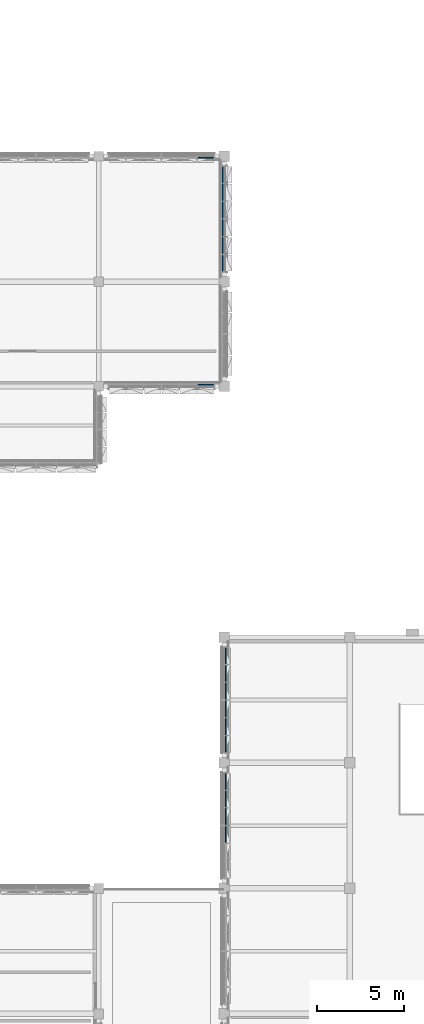
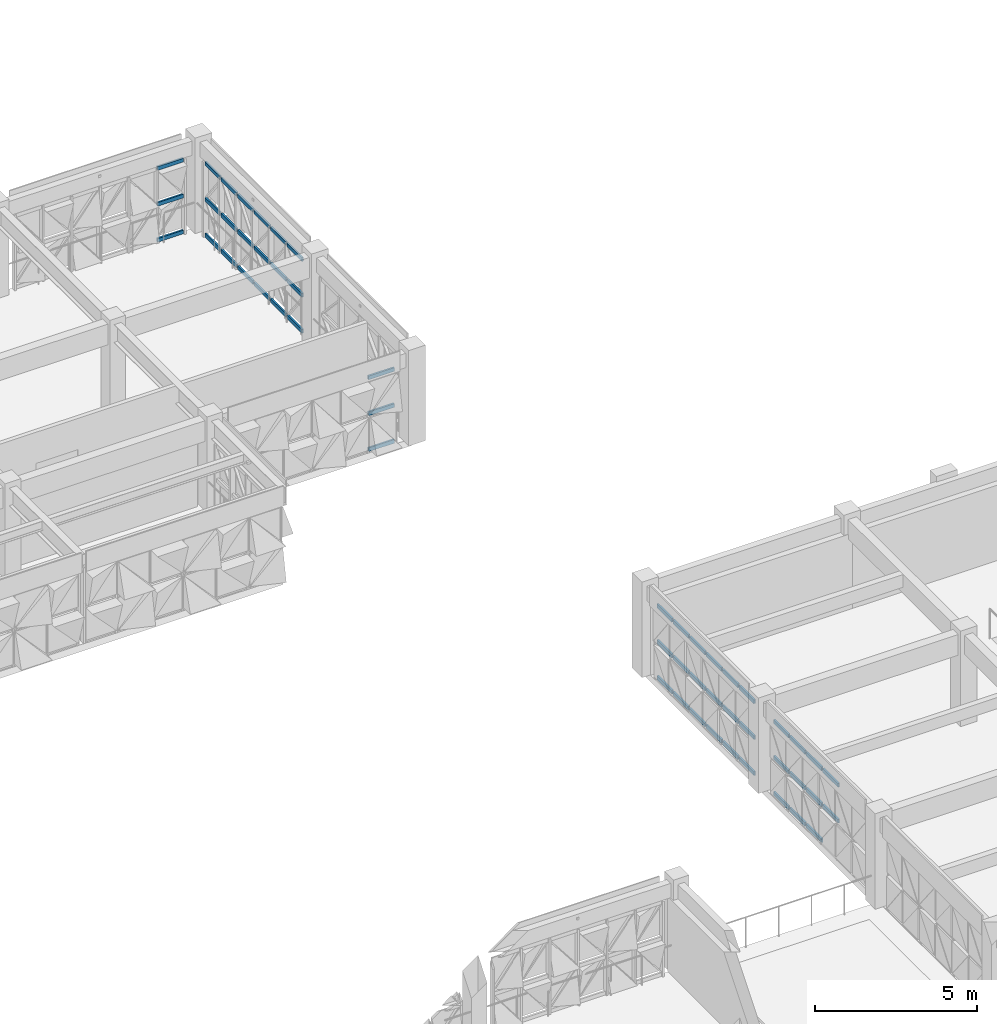
# One storey, part 28 of 85: 53 members, 5 elements without a shape of their own.
"""IFC4 building model written with IfcOpenShell, lengths in metres."""

from ifc_helpers import new_model, si_unit, direction, frame, origin, origin_2d, place, context, subcontext, project, spatial, rectangle, extrude, material, material_profile, profile_set, type_object, element, aggregate, save


model = new_model("IFC4")

# Units and contexts
model_context = context("Model", 3, precision=1e-05, world=origin(), true_north=direction((0.0, 1.0)))
body_context = subcontext(model_context, "Body", "Model", "MODEL_VIEW")
ifc_project = project(units=[si_unit("LENGTHUNIT", "METRE"), si_unit("AREAUNIT", "SQUARE_METRE"), si_unit("VOLUMEUNIT", "CUBIC_METRE"), si_unit("PLANEANGLEUNIT", "RADIAN"), si_unit("MASSUNIT", "GRAM", prefix="KILO")], contexts=[model_context])

# Site, building, storey
site_placement = place(None, origin())
site = spatial("IfcSite", under=ifc_project, at=site_placement, CompositionType="ELEMENT")
building_placement = place(site_placement, origin())
building = spatial("IfcBuilding", under=site, at=building_placement, Name="Alvorim Cloister Faculty of Sciences", CompositionType="ELEMENT")
storey_placement = place(building_placement, frame((0.0, 0.0, 8.550048828125)))
storey = spatial("IfcBuildingStorey", under=building, at=storey_placement, Name="L02", CompositionType="ELEMENT", Elevation=8.550048828125)

# Curtain wall, members
ifc_material_1 = material(Name="Aluminium and Low-E Glass Curtain Wall", Category="aluminium")
curtain_wall_type = type_object("IfcCurtainWallType", Name="CW-TRI-6120x2850", PredefinedType="USERDEFINED", material=ifc_material_1)
curtain_wall_1_placement = place(storey_placement, origin())
curtain_wall_1 = element("IfcCurtainWall", 1, at=curtain_wall_1_placement, inside=storey, type_object=curtain_wall_type, Name="L02 Diagonal Cassette Curtain Wall CW-0060", ObjectType="UNITISED CURTAIN WALL", PredefinedType="USERDEFINED")
ifc_material_2 = material(Name="Aluminium Alloy 6063-T6", Category="aluminium")
ifc_material_profile = material_profile(ifc_material_2, rectangle(XDim=0.06494140625, YDim=0.139892578125, at=origin_2d()), Name="ALU-TRN-65x140")
ifc_profile_set = profile_set([ifc_material_profile], Name="Aluminium Alloy 6063-T6")
member_type = type_object("IfcMemberType", Name="CW-TRN-65x140", PredefinedType="USERDEFINED", material=ifc_profile_set)
member_1_placement = place(storey_placement, frame((63.2724609375, 56.31005859375, 0.070068359375), z_axis=(1.0, 0.0, 0.0), x_axis=(0.0, 1.0, 0.0)))
member_1 = element("IfcMember", 2, at=member_1_placement, type_object=member_type, Name="CW-0060 Transom 6.1", ObjectType="TRANSOM", PredefinedType="USERDEFINED", context=body_context, shape_type="SweptSolid", body=[
    extrude(rectangle(XDim=0.06494140625, YDim=0.139892578125, at=origin_2d()), origin(), (0.0, 0.0, 1.0), 0.922607421875),
])
member_2_placement = place(storey_placement, frame((63.2724609375, 56.31005859375, 1.425048828125), z_axis=(1.0, 0.0, 0.0), x_axis=(0.0, 1.0, 0.0)))
member_2 = element("IfcMember", 3, at=member_2_placement, type_object=member_type, Name="CW-0060 Transom 6.2", ObjectType="TRANSOM", PredefinedType="USERDEFINED", context=body_context, shape_type="SweptSolid", body=[
    extrude(rectangle(XDim=0.06494140625, YDim=0.139892578125, at=origin_2d()), origin(), (0.0, 0.0, 1.0), 0.922607421875),
])
member_3_placement = place(storey_placement, frame((63.2724609375, 56.31005859375, 2.780029296875), z_axis=(1.0, 0.0, 0.0), x_axis=(0.0, 1.0, 0.0)))
member_3 = element("IfcMember", 4, at=member_3_placement, type_object=member_type, Name="CW-0060 Transom 6.3", ObjectType="TRANSOM", PredefinedType="USERDEFINED", context=body_context, shape_type="SweptSolid", body=[
    extrude(rectangle(XDim=0.06494140625, YDim=0.139892578125, at=origin_2d()), origin(), (0.0, 0.0, 1.0), 0.922607421875),
])
aggregate(curtain_wall_1, [member_1, member_2, member_3])

curtain_wall_2_placement = place(storey_placement, origin())
curtain_wall_2 = element("IfcCurtainWall", 5, at=curtain_wall_2_placement, inside=storey, type_object=curtain_wall_type, Name="L02 Diagonal Cassette Curtain Wall CW-0061", ObjectType="UNITISED CURTAIN WALL", PredefinedType="USERDEFINED")
member_4_placement = place(storey_placement, frame((64.7099609375, 49.804931640625, 0.070068359375), z_axis=(0.0, 1.0, 0.0), x_axis=(-1.0, 0.0, 0.0)))
member_4 = element("IfcMember", 6, at=member_4_placement, type_object=member_type, Name="CW-0061 Transom 1.1", ObjectType="TRANSOM", PredefinedType="USERDEFINED", context=body_context, shape_type="SweptSolid", body=[
    extrude(rectangle(XDim=0.06494140625, YDim=0.139892578125, at=origin_2d()), origin(), (0.0, 0.0, 1.0), 0.922607421875),
])
member_5_placement = place(storey_placement, frame((64.7099609375, 49.804931640625, 1.425048828125), z_axis=(0.0, 1.0, 0.0), x_axis=(-1.0, 0.0, 0.0)))
member_5 = element("IfcMember", 7, at=member_5_placement, type_object=member_type, Name="CW-0061 Transom 1.2", ObjectType="TRANSOM", PredefinedType="USERDEFINED", context=body_context, shape_type="SweptSolid", body=[
    extrude(rectangle(XDim=0.06494140625, YDim=0.139892578125, at=origin_2d()), origin(), (0.0, 0.0, 1.0), 0.922607421875),
])
member_6_placement = place(storey_placement, frame((64.7099609375, 49.804931640625, 2.780029296875), z_axis=(0.0, 1.0, 0.0), x_axis=(-1.0, 0.0, 0.0)))
member_6 = element("IfcMember", 8, at=member_6_placement, type_object=member_type, Name="CW-0061 Transom 1.3", ObjectType="TRANSOM", PredefinedType="USERDEFINED", context=body_context, shape_type="SweptSolid", body=[
    extrude(rectangle(XDim=0.06494140625, YDim=0.139892578125, at=origin_2d()), origin(), (0.0, 0.0, 1.0), 0.922607421875),
])
member_7_placement = place(storey_placement, frame((64.7099609375, 50.79248046875, 0.070068359375), z_axis=(0.0, 1.0, 0.0), x_axis=(-1.0, 0.0, 0.0)))
member_7 = element("IfcMember", 9, at=member_7_placement, type_object=member_type, Name="CW-0061 Transom 2.1", ObjectType="TRANSOM", PredefinedType="USERDEFINED", context=body_context, shape_type="SweptSolid", body=[
    extrude(rectangle(XDim=0.06494140625, YDim=0.139892578125, at=origin_2d()), origin(), (0.0, 0.0, 1.0), 0.955078125),
])
member_8_placement = place(storey_placement, frame((64.7099609375, 50.79248046875, 1.425048828125), z_axis=(0.0, 1.0, 0.0), x_axis=(-1.0, 0.0, 0.0)))
member_8 = element("IfcMember", 10, at=member_8_placement, type_object=member_type, Name="CW-0061 Transom 2.2", ObjectType="TRANSOM", PredefinedType="USERDEFINED", context=body_context, shape_type="SweptSolid", body=[
    extrude(rectangle(XDim=0.06494140625, YDim=0.139892578125, at=origin_2d()), origin(), (0.0, 0.0, 1.0), 0.955078125),
])
member_9_placement = place(storey_placement, frame((64.7099609375, 50.79248046875, 2.780029296875), z_axis=(0.0, 1.0, 0.0), x_axis=(-1.0, 0.0, 0.0)))
member_9 = element("IfcMember", 11, at=member_9_placement, type_object=member_type, Name="CW-0061 Transom 2.3", ObjectType="TRANSOM", PredefinedType="USERDEFINED", context=body_context, shape_type="SweptSolid", body=[
    extrude(rectangle(XDim=0.06494140625, YDim=0.139892578125, at=origin_2d()), origin(), (0.0, 0.0, 1.0), 0.955078125),
])
member_10_placement = place(storey_placement, frame((64.7099609375, 51.8125, 0.070068359375), z_axis=(0.0, 1.0, 0.0), x_axis=(-1.0, 0.0, 0.0)))
member_10 = element("IfcMember", 12, at=member_10_placement, type_object=member_type, Name="CW-0061 Transom 3.1", ObjectType="TRANSOM", PredefinedType="USERDEFINED", context=body_context, shape_type="SweptSolid", body=[
    extrude(rectangle(XDim=0.06494140625, YDim=0.139892578125, at=origin_2d()), origin(), (0.0, 0.0, 1.0), 0.955078125),
])
member_11_placement = place(storey_placement, frame((64.7099609375, 51.8125, 1.425048828125), z_axis=(0.0, 1.0, 0.0), x_axis=(-1.0, 0.0, 0.0)))
member_11 = element("IfcMember", 13, at=member_11_placement, type_object=member_type, Name="CW-0061 Transom 3.2", ObjectType="TRANSOM", PredefinedType="USERDEFINED", context=body_context, shape_type="SweptSolid", body=[
    extrude(rectangle(XDim=0.06494140625, YDim=0.139892578125, at=origin_2d()), origin(), (0.0, 0.0, 1.0), 0.955078125),
])
member_12_placement = place(storey_placement, frame((64.7099609375, 51.8125, 2.780029296875), z_axis=(0.0, 1.0, 0.0), x_axis=(-1.0, 0.0, 0.0)))
member_12 = element("IfcMember", 14, at=member_12_placement, type_object=member_type, Name="CW-0061 Transom 3.3", ObjectType="TRANSOM", PredefinedType="USERDEFINED", context=body_context, shape_type="SweptSolid", body=[
    extrude(rectangle(XDim=0.06494140625, YDim=0.139892578125, at=origin_2d()), origin(), (0.0, 0.0, 1.0), 0.955078125),
])
member_13_placement = place(storey_placement, frame((64.7099609375, 52.83251953125, 0.070068359375), z_axis=(0.0, 1.0, 0.0), x_axis=(-1.0, 0.0, 0.0)))
member_13 = element("IfcMember", 15, at=member_13_placement, type_object=member_type, Name="CW-0061 Transom 4.1", ObjectType="TRANSOM", PredefinedType="USERDEFINED", context=body_context, shape_type="SweptSolid", body=[
    extrude(rectangle(XDim=0.06494140625, YDim=0.139892578125, at=origin_2d()), origin(), (0.0, 0.0, 1.0), 0.955078125),
])
member_14_placement = place(storey_placement, frame((64.7099609375, 52.83251953125, 1.425048828125), z_axis=(0.0, 1.0, 0.0), x_axis=(-1.0, 0.0, 0.0)))
member_14 = element("IfcMember", 16, at=member_14_placement, type_object=member_type, Name="CW-0061 Transom 4.2", ObjectType="TRANSOM", PredefinedType="USERDEFINED", context=body_context, shape_type="SweptSolid", body=[
    extrude(rectangle(XDim=0.06494140625, YDim=0.139892578125, at=origin_2d()), origin(), (0.0, 0.0, 1.0), 0.955078125),
])
member_15_placement = place(storey_placement, frame((64.7099609375, 52.83251953125, 2.780029296875), z_axis=(0.0, 1.0, 0.0), x_axis=(-1.0, 0.0, 0.0)))
member_15 = element("IfcMember", 17, at=member_15_placement, type_object=member_type, Name="CW-0061 Transom 4.3", ObjectType="TRANSOM", PredefinedType="USERDEFINED", context=body_context, shape_type="SweptSolid", body=[
    extrude(rectangle(XDim=0.06494140625, YDim=0.139892578125, at=origin_2d()), origin(), (0.0, 0.0, 1.0), 0.955078125),
])
member_16_placement = place(storey_placement, frame((64.7099609375, 53.8525390625, 0.070068359375), z_axis=(0.0, 1.0, 0.0), x_axis=(-1.0, 0.0, 0.0)))
member_16 = element("IfcMember", 18, at=member_16_placement, type_object=member_type, Name="CW-0061 Transom 5.1", ObjectType="TRANSOM", PredefinedType="USERDEFINED", context=body_context, shape_type="SweptSolid", body=[
    extrude(rectangle(XDim=0.06494140625, YDim=0.139892578125, at=origin_2d()), origin(), (0.0, 0.0, 1.0), 0.955078125),
])
member_17_placement = place(storey_placement, frame((64.7099609375, 53.8525390625, 1.425048828125), z_axis=(0.0, 1.0, 0.0), x_axis=(-1.0, 0.0, 0.0)))
member_17 = element("IfcMember", 19, at=member_17_placement, type_object=member_type, Name="CW-0061 Transom 5.2", ObjectType="TRANSOM", PredefinedType="USERDEFINED", context=body_context, shape_type="SweptSolid", body=[
    extrude(rectangle(XDim=0.06494140625, YDim=0.139892578125, at=origin_2d()), origin(), (0.0, 0.0, 1.0), 0.955078125),
])
member_18_placement = place(storey_placement, frame((64.7099609375, 53.8525390625, 2.780029296875), z_axis=(0.0, 1.0, 0.0), x_axis=(-1.0, 0.0, 0.0)))
member_18 = element("IfcMember", 20, at=member_18_placement, type_object=member_type, Name="CW-0061 Transom 5.3", ObjectType="TRANSOM", PredefinedType="USERDEFINED", context=body_context, shape_type="SweptSolid", body=[
    extrude(rectangle(XDim=0.06494140625, YDim=0.139892578125, at=origin_2d()), origin(), (0.0, 0.0, 1.0), 0.955078125),
])
member_19_placement = place(storey_placement, frame((64.7099609375, 54.87255859375, 0.070068359375), z_axis=(0.0, 1.0, 0.0), x_axis=(-1.0, 0.0, 0.0)))
member_19 = element("IfcMember", 21, at=member_19_placement, type_object=member_type, Name="CW-0061 Transom 6.1", ObjectType="TRANSOM", PredefinedType="USERDEFINED", context=body_context, shape_type="SweptSolid", body=[
    extrude(rectangle(XDim=0.06494140625, YDim=0.139892578125, at=origin_2d()), origin(), (0.0, 0.0, 1.0), 0.92236328125),
])
member_20_placement = place(storey_placement, frame((64.7099609375, 54.87255859375, 1.425048828125), z_axis=(0.0, 1.0, 0.0), x_axis=(-1.0, 0.0, 0.0)))
member_20 = element("IfcMember", 22, at=member_20_placement, type_object=member_type, Name="CW-0061 Transom 6.2", ObjectType="TRANSOM", PredefinedType="USERDEFINED", context=body_context, shape_type="SweptSolid", body=[
    extrude(rectangle(XDim=0.06494140625, YDim=0.139892578125, at=origin_2d()), origin(), (0.0, 0.0, 1.0), 0.92236328125),
])
member_21_placement = place(storey_placement, frame((64.7099609375, 54.87255859375, 2.780029296875), z_axis=(0.0, 1.0, 0.0), x_axis=(-1.0, 0.0, 0.0)))
member_21 = element("IfcMember", 23, at=member_21_placement, type_object=member_type, Name="CW-0061 Transom 6.3", ObjectType="TRANSOM", PredefinedType="USERDEFINED", context=body_context, shape_type="SweptSolid", body=[
    extrude(rectangle(XDim=0.06494140625, YDim=0.139892578125, at=origin_2d()), origin(), (0.0, 0.0, 1.0), 0.92236328125),
])
aggregate(curtain_wall_2, [member_4, member_5, member_6, member_7, member_8, member_9, member_10, member_11, member_12, member_13, member_14, member_15, member_16, member_17, member_18, member_19, member_20, member_21])

curtain_wall_3_placement = place(storey_placement, origin())
curtain_wall_3 = element("IfcCurtainWall", 24, at=curtain_wall_3_placement, inside=storey, type_object=curtain_wall_type, Name="L02 Diagonal Cassette Curtain Wall CW-0063", ObjectType="UNITISED CURTAIN WALL", PredefinedType="USERDEFINED")
member_22_placement = place(storey_placement, frame((63.2724609375, 43.2900390625, 0.070068359375), z_axis=(1.0, 0.0, 0.0), x_axis=(0.0, 1.0, 0.0)))
member_22 = element("IfcMember", 25, at=member_22_placement, type_object=member_type, Name="CW-0063 Transom 6.1", ObjectType="TRANSOM", PredefinedType="USERDEFINED", context=body_context, shape_type="SweptSolid", body=[
    extrude(rectangle(XDim=0.06494140625, YDim=0.139892578125, at=origin_2d()), origin(), (0.0, 0.0, 1.0), 0.922607421875),
])
member_23_placement = place(storey_placement, frame((63.2724609375, 43.2900390625, 1.425048828125), z_axis=(1.0, 0.0, 0.0), x_axis=(0.0, 1.0, 0.0)))
member_23 = element("IfcMember", 26, at=member_23_placement, type_object=member_type, Name="CW-0063 Transom 6.2", ObjectType="TRANSOM", PredefinedType="USERDEFINED", context=body_context, shape_type="SweptSolid", body=[
    extrude(rectangle(XDim=0.06494140625, YDim=0.139892578125, at=origin_2d()), origin(), (0.0, 0.0, 1.0), 0.922607421875),
])
member_24_placement = place(storey_placement, frame((63.2724609375, 43.2900390625, 2.780029296875), z_axis=(1.0, 0.0, 0.0), x_axis=(0.0, 1.0, 0.0)))
member_24 = element("IfcMember", 27, at=member_24_placement, type_object=member_type, Name="CW-0063 Transom 6.3", ObjectType="TRANSOM", PredefinedType="USERDEFINED", context=body_context, shape_type="SweptSolid", body=[
    extrude(rectangle(XDim=0.06494140625, YDim=0.139892578125, at=origin_2d()), origin(), (0.0, 0.0, 1.0), 0.922607421875),
])
aggregate(curtain_wall_3, [member_22, member_23, member_24])

curtain_wall_4_placement = place(storey_placement, origin())
curtain_wall_4 = element("IfcCurtainWall", 28, at=curtain_wall_4_placement, inside=storey, type_object=curtain_wall_type, Name="L02 Diagonal Cassette Curtain Wall CW-0095", ObjectType="UNITISED CURTAIN WALL", PredefinedType="USERDEFINED")
member_25_placement = place(storey_placement, frame((64.889892578125, 17.012451171875, 1.425048828125), z_axis=(0.0, 1.0, 0.0), x_axis=(-1.0, 0.0, 0.0)))
member_25 = element("IfcMember", 29, at=member_25_placement, type_object=member_type, Name="CW-0095 Transom 3.2", ObjectType="TRANSOM", PredefinedType="USERDEFINED", context=body_context, shape_type="SweptSolid", body=[
    extrude(rectangle(XDim=0.06494140625, YDim=0.139892578125, at=origin_2d()), origin(), (0.0, 0.0, 1.0), 0.955078125),
])
member_26_placement = place(storey_placement, frame((64.889892578125, 17.012451171875, 2.780029296875), z_axis=(0.0, 1.0, 0.0), x_axis=(-1.0, 0.0, 0.0)))
member_26 = element("IfcMember", 30, at=member_26_placement, type_object=member_type, Name="CW-0095 Transom 3.3", ObjectType="TRANSOM", PredefinedType="USERDEFINED", context=body_context, shape_type="SweptSolid", body=[
    extrude(rectangle(XDim=0.06494140625, YDim=0.139892578125, at=origin_2d()), origin(), (0.0, 0.0, 1.0), 0.955078125),
])
member_27_placement = place(storey_placement, frame((64.889892578125, 18.032470703125, 0.070068359375), z_axis=(0.0, 1.0, 0.0), x_axis=(-1.0, 0.0, 0.0)))
member_27 = element("IfcMember", 31, at=member_27_placement, type_object=member_type, Name="CW-0095 Transom 4.1", ObjectType="TRANSOM", PredefinedType="USERDEFINED", context=body_context, shape_type="SweptSolid", body=[
    extrude(rectangle(XDim=0.06494140625, YDim=0.139892578125, at=origin_2d()), origin(), (0.0, 0.0, 1.0), 0.955078125),
])
member_28_placement = place(storey_placement, frame((64.889892578125, 18.032470703125, 1.425048828125), z_axis=(0.0, 1.0, 0.0), x_axis=(-1.0, 0.0, 0.0)))
member_28 = element("IfcMember", 32, at=member_28_placement, type_object=member_type, Name="CW-0095 Transom 4.2", ObjectType="TRANSOM", PredefinedType="USERDEFINED", context=body_context, shape_type="SweptSolid", body=[
    extrude(rectangle(XDim=0.06494140625, YDim=0.139892578125, at=origin_2d()), origin(), (0.0, 0.0, 1.0), 0.955078125),
])
member_29_placement = place(storey_placement, frame((64.889892578125, 18.032470703125, 2.780029296875), z_axis=(0.0, 1.0, 0.0), x_axis=(-1.0, 0.0, 0.0)))
member_29 = element("IfcMember", 33, at=member_29_placement, type_object=member_type, Name="CW-0095 Transom 4.3", ObjectType="TRANSOM", PredefinedType="USERDEFINED", context=body_context, shape_type="SweptSolid", body=[
    extrude(rectangle(XDim=0.06494140625, YDim=0.139892578125, at=origin_2d()), origin(), (0.0, 0.0, 1.0), 0.955078125),
])
member_30_placement = place(storey_placement, frame((64.889892578125, 19.052490234375, 0.070068359375), z_axis=(0.0, 1.0, 0.0), x_axis=(-1.0, 0.0, 0.0)))
member_30 = element("IfcMember", 34, at=member_30_placement, type_object=member_type, Name="CW-0095 Transom 5.1", ObjectType="TRANSOM", PredefinedType="USERDEFINED", context=body_context, shape_type="SweptSolid", body=[
    extrude(rectangle(XDim=0.06494140625, YDim=0.139892578125, at=origin_2d()), origin(), (0.0, 0.0, 1.0), 0.955078125),
])
member_31_placement = place(storey_placement, frame((64.889892578125, 19.052490234375, 1.425048828125), z_axis=(0.0, 1.0, 0.0), x_axis=(-1.0, 0.0, 0.0)))
member_31 = element("IfcMember", 35, at=member_31_placement, type_object=member_type, Name="CW-0095 Transom 5.2", ObjectType="TRANSOM", PredefinedType="USERDEFINED", context=body_context, shape_type="SweptSolid", body=[
    extrude(rectangle(XDim=0.06494140625, YDim=0.139892578125, at=origin_2d()), origin(), (0.0, 0.0, 1.0), 0.955078125),
])
member_32_placement = place(storey_placement, frame((64.889892578125, 19.052490234375, 2.780029296875), z_axis=(0.0, 1.0, 0.0), x_axis=(-1.0, 0.0, 0.0)))
member_32 = element("IfcMember", 36, at=member_32_placement, type_object=member_type, Name="CW-0095 Transom 5.3", ObjectType="TRANSOM", PredefinedType="USERDEFINED", context=body_context, shape_type="SweptSolid", body=[
    extrude(rectangle(XDim=0.06494140625, YDim=0.139892578125, at=origin_2d()), origin(), (0.0, 0.0, 1.0), 0.955078125),
])
member_33_placement = place(storey_placement, frame((64.889892578125, 20.072509765625, 0.070068359375), z_axis=(0.0, 1.0, 0.0), x_axis=(-1.0, 0.0, 0.0)))
member_33 = element("IfcMember", 37, at=member_33_placement, type_object=member_type, Name="CW-0095 Transom 6.1", ObjectType="TRANSOM", PredefinedType="USERDEFINED", context=body_context, shape_type="SweptSolid", body=[
    extrude(rectangle(XDim=0.06494140625, YDim=0.139892578125, at=origin_2d()), origin(), (0.0, 0.0, 1.0), 0.922607421875),
])
member_34_placement = place(storey_placement, frame((64.889892578125, 20.072509765625, 1.425048828125), z_axis=(0.0, 1.0, 0.0), x_axis=(-1.0, 0.0, 0.0)))
member_34 = element("IfcMember", 38, at=member_34_placement, type_object=member_type, Name="CW-0095 Transom 6.2", ObjectType="TRANSOM", PredefinedType="USERDEFINED", context=body_context, shape_type="SweptSolid", body=[
    extrude(rectangle(XDim=0.06494140625, YDim=0.139892578125, at=origin_2d()), origin(), (0.0, 0.0, 1.0), 0.922607421875),
])
member_35_placement = place(storey_placement, frame((64.889892578125, 20.072509765625, 2.780029296875), z_axis=(0.0, 1.0, 0.0), x_axis=(-1.0, 0.0, 0.0)))
member_35 = element("IfcMember", 39, at=member_35_placement, type_object=member_type, Name="CW-0095 Transom 6.3", ObjectType="TRANSOM", PredefinedType="USERDEFINED", context=body_context, shape_type="SweptSolid", body=[
    extrude(rectangle(XDim=0.06494140625, YDim=0.139892578125, at=origin_2d()), origin(), (0.0, 0.0, 1.0), 0.922607421875),
])
aggregate(curtain_wall_4, [member_25, member_26, member_27, member_28, member_29, member_30, member_31, member_32, member_33, member_34, member_35])

curtain_wall_5_placement = place(storey_placement, origin())
curtain_wall_5 = element("IfcCurtainWall", 40, at=curtain_wall_5_placement, inside=storey, type_object=curtain_wall_type, Name="L02 Diagonal Cassette Curtain Wall CW-0096", ObjectType="UNITISED CURTAIN WALL", PredefinedType="USERDEFINED")
member_36_placement = place(storey_placement, frame((64.889892578125, 22.205078125, 0.070068359375), z_axis=(0.0, 1.0, 0.0), x_axis=(-1.0, 0.0, 0.0)))
member_36 = element("IfcMember", 41, at=member_36_placement, type_object=member_type, Name="CW-0096 Transom 1.1", ObjectType="TRANSOM", PredefinedType="USERDEFINED", context=body_context, shape_type="SweptSolid", body=[
    extrude(rectangle(XDim=0.06494140625, YDim=0.139892578125, at=origin_2d()), origin(), (0.0, 0.0, 1.0), 0.92236328125),
])
member_37_placement = place(storey_placement, frame((64.889892578125, 22.205078125, 1.425048828125), z_axis=(0.0, 1.0, 0.0), x_axis=(-1.0, 0.0, 0.0)))
member_37 = element("IfcMember", 42, at=member_37_placement, type_object=member_type, Name="CW-0096 Transom 1.2", ObjectType="TRANSOM", PredefinedType="USERDEFINED", context=body_context, shape_type="SweptSolid", body=[
    extrude(rectangle(XDim=0.06494140625, YDim=0.139892578125, at=origin_2d()), origin(), (0.0, 0.0, 1.0), 0.92236328125),
])
member_38_placement = place(storey_placement, frame((64.889892578125, 22.205078125, 2.780029296875), z_axis=(0.0, 1.0, 0.0), x_axis=(-1.0, 0.0, 0.0)))
member_38 = element("IfcMember", 43, at=member_38_placement, type_object=member_type, Name="CW-0096 Transom 1.3", ObjectType="TRANSOM", PredefinedType="USERDEFINED", context=body_context, shape_type="SweptSolid", body=[
    extrude(rectangle(XDim=0.06494140625, YDim=0.139892578125, at=origin_2d()), origin(), (0.0, 0.0, 1.0), 0.92236328125),
])
member_39_placement = place(storey_placement, frame((64.889892578125, 23.1923828125, 0.070068359375), z_axis=(0.0, 1.0, 0.0), x_axis=(-1.0, 0.0, 0.0)))
member_39 = element("IfcMember", 44, at=member_39_placement, type_object=member_type, Name="CW-0096 Transom 2.1", ObjectType="TRANSOM", PredefinedType="USERDEFINED", context=body_context, shape_type="SweptSolid", body=[
    extrude(rectangle(XDim=0.06494140625, YDim=0.139892578125, at=origin_2d()), origin(), (0.0, 0.0, 1.0), 0.955078125),
])
member_40_placement = place(storey_placement, frame((64.889892578125, 23.1923828125, 1.425048828125), z_axis=(0.0, 1.0, 0.0), x_axis=(-1.0, 0.0, 0.0)))
member_40 = element("IfcMember", 45, at=member_40_placement, type_object=member_type, Name="CW-0096 Transom 2.2", ObjectType="TRANSOM", PredefinedType="USERDEFINED", context=body_context, shape_type="SweptSolid", body=[
    extrude(rectangle(XDim=0.06494140625, YDim=0.139892578125, at=origin_2d()), origin(), (0.0, 0.0, 1.0), 0.955078125),
])
member_41_placement = place(storey_placement, frame((64.889892578125, 23.1923828125, 2.780029296875), z_axis=(0.0, 1.0, 0.0), x_axis=(-1.0, 0.0, 0.0)))
member_41 = element("IfcMember", 46, at=member_41_placement, type_object=member_type, Name="CW-0096 Transom 2.3", ObjectType="TRANSOM", PredefinedType="USERDEFINED", context=body_context, shape_type="SweptSolid", body=[
    extrude(rectangle(XDim=0.06494140625, YDim=0.139892578125, at=origin_2d()), origin(), (0.0, 0.0, 1.0), 0.955078125),
])
member_42_placement = place(storey_placement, frame((64.889892578125, 24.21240234375, 0.070068359375), z_axis=(0.0, 1.0, 0.0), x_axis=(-1.0, 0.0, 0.0)))
member_42 = element("IfcMember", 47, at=member_42_placement, type_object=member_type, Name="CW-0096 Transom 3.1", ObjectType="TRANSOM", PredefinedType="USERDEFINED", context=body_context, shape_type="SweptSolid", body=[
    extrude(rectangle(XDim=0.06494140625, YDim=0.139892578125, at=origin_2d()), origin(), (0.0, 0.0, 1.0), 0.955078125),
])
member_43_placement = place(storey_placement, frame((64.889892578125, 24.21240234375, 1.425048828125), z_axis=(0.0, 1.0, 0.0), x_axis=(-1.0, 0.0, 0.0)))
member_43 = element("IfcMember", 48, at=member_43_placement, type_object=member_type, Name="CW-0096 Transom 3.2", ObjectType="TRANSOM", PredefinedType="USERDEFINED", context=body_context, shape_type="SweptSolid", body=[
    extrude(rectangle(XDim=0.06494140625, YDim=0.139892578125, at=origin_2d()), origin(), (0.0, 0.0, 1.0), 0.955078125),
])
member_44_placement = place(storey_placement, frame((64.889892578125, 24.21240234375, 2.780029296875), z_axis=(0.0, 1.0, 0.0), x_axis=(-1.0, 0.0, 0.0)))
member_44 = element("IfcMember", 49, at=member_44_placement, type_object=member_type, Name="CW-0096 Transom 3.3", ObjectType="TRANSOM", PredefinedType="USERDEFINED", context=body_context, shape_type="SweptSolid", body=[
    extrude(rectangle(XDim=0.06494140625, YDim=0.139892578125, at=origin_2d()), origin(), (0.0, 0.0, 1.0), 0.955078125),
])
member_45_placement = place(storey_placement, frame((64.889892578125, 25.232421875, 0.070068359375), z_axis=(0.0, 1.0, 0.0), x_axis=(-1.0, 0.0, 0.0)))
member_45 = element("IfcMember", 50, at=member_45_placement, type_object=member_type, Name="CW-0096 Transom 4.1", ObjectType="TRANSOM", PredefinedType="USERDEFINED", context=body_context, shape_type="SweptSolid", body=[
    extrude(rectangle(XDim=0.06494140625, YDim=0.139892578125, at=origin_2d()), origin(), (0.0, 0.0, 1.0), 0.955078125),
])
member_46_placement = place(storey_placement, frame((64.889892578125, 25.232421875, 1.425048828125), z_axis=(0.0, 1.0, 0.0), x_axis=(-1.0, 0.0, 0.0)))
member_46 = element("IfcMember", 51, at=member_46_placement, type_object=member_type, Name="CW-0096 Transom 4.2", ObjectType="TRANSOM", PredefinedType="USERDEFINED", context=body_context, shape_type="SweptSolid", body=[
    extrude(rectangle(XDim=0.06494140625, YDim=0.139892578125, at=origin_2d()), origin(), (0.0, 0.0, 1.0), 0.955078125),
])
member_47_placement = place(storey_placement, frame((64.889892578125, 25.232421875, 2.780029296875), z_axis=(0.0, 1.0, 0.0), x_axis=(-1.0, 0.0, 0.0)))
member_47 = element("IfcMember", 52, at=member_47_placement, type_object=member_type, Name="CW-0096 Transom 4.3", ObjectType="TRANSOM", PredefinedType="USERDEFINED", context=body_context, shape_type="SweptSolid", body=[
    extrude(rectangle(XDim=0.06494140625, YDim=0.139892578125, at=origin_2d()), origin(), (0.0, 0.0, 1.0), 0.955078125),
])
member_48_placement = place(storey_placement, frame((64.889892578125, 26.25244140625, 0.070068359375), z_axis=(0.0, 1.0, 0.0), x_axis=(-1.0, 0.0, 0.0)))
member_48 = element("IfcMember", 53, at=member_48_placement, type_object=member_type, Name="CW-0096 Transom 5.1", ObjectType="TRANSOM", PredefinedType="USERDEFINED", context=body_context, shape_type="SweptSolid", body=[
    extrude(rectangle(XDim=0.06494140625, YDim=0.139892578125, at=origin_2d()), origin(), (0.0, 0.0, 1.0), 0.955078125),
])
member_49_placement = place(storey_placement, frame((64.889892578125, 26.25244140625, 1.425048828125), z_axis=(0.0, 1.0, 0.0), x_axis=(-1.0, 0.0, 0.0)))
member_49 = element("IfcMember", 54, at=member_49_placement, type_object=member_type, Name="CW-0096 Transom 5.2", ObjectType="TRANSOM", PredefinedType="USERDEFINED", context=body_context, shape_type="SweptSolid", body=[
    extrude(rectangle(XDim=0.06494140625, YDim=0.139892578125, at=origin_2d()), origin(), (0.0, 0.0, 1.0), 0.955078125),
])
member_50_placement = place(storey_placement, frame((64.889892578125, 26.25244140625, 2.780029296875), z_axis=(0.0, 1.0, 0.0), x_axis=(-1.0, 0.0, 0.0)))
member_50 = element("IfcMember", 55, at=member_50_placement, type_object=member_type, Name="CW-0096 Transom 5.3", ObjectType="TRANSOM", PredefinedType="USERDEFINED", context=body_context, shape_type="SweptSolid", body=[
    extrude(rectangle(XDim=0.06494140625, YDim=0.139892578125, at=origin_2d()), origin(), (0.0, 0.0, 1.0), 0.955078125),
])
member_51_placement = place(storey_placement, frame((64.889892578125, 27.2724609375, 0.070068359375), z_axis=(0.0, 1.0, 0.0), x_axis=(-1.0, 0.0, 0.0)))
member_51 = element("IfcMember", 56, at=member_51_placement, type_object=member_type, Name="CW-0096 Transom 6.1", ObjectType="TRANSOM", PredefinedType="USERDEFINED", context=body_context, shape_type="SweptSolid", body=[
    extrude(rectangle(XDim=0.06494140625, YDim=0.139892578125, at=origin_2d()), origin(), (0.0, 0.0, 1.0), 0.922607421875),
])
member_52_placement = place(storey_placement, frame((64.889892578125, 27.2724609375, 1.425048828125), z_axis=(0.0, 1.0, 0.0), x_axis=(-1.0, 0.0, 0.0)))
member_52 = element("IfcMember", 57, at=member_52_placement, type_object=member_type, Name="CW-0096 Transom 6.2", ObjectType="TRANSOM", PredefinedType="USERDEFINED", context=body_context, shape_type="SweptSolid", body=[
    extrude(rectangle(XDim=0.06494140625, YDim=0.139892578125, at=origin_2d()), origin(), (0.0, 0.0, 1.0), 0.922607421875),
])
member_53_placement = place(storey_placement, frame((64.889892578125, 27.2724609375, 2.780029296875), z_axis=(0.0, 1.0, 0.0), x_axis=(-1.0, 0.0, 0.0)))
member_53 = element("IfcMember", 58, at=member_53_placement, type_object=member_type, Name="CW-0096 Transom 6.3", ObjectType="TRANSOM", PredefinedType="USERDEFINED", context=body_context, shape_type="SweptSolid", body=[
    extrude(rectangle(XDim=0.06494140625, YDim=0.139892578125, at=origin_2d()), origin(), (0.0, 0.0, 1.0), 0.922607421875),
])
aggregate(curtain_wall_5, [member_36, member_37, member_38, member_39, member_40, member_41, member_42, member_43, member_44, member_45, member_46, member_47, member_48, member_49, member_50, member_51, member_52, member_53])

save(model, "model.ifc")
